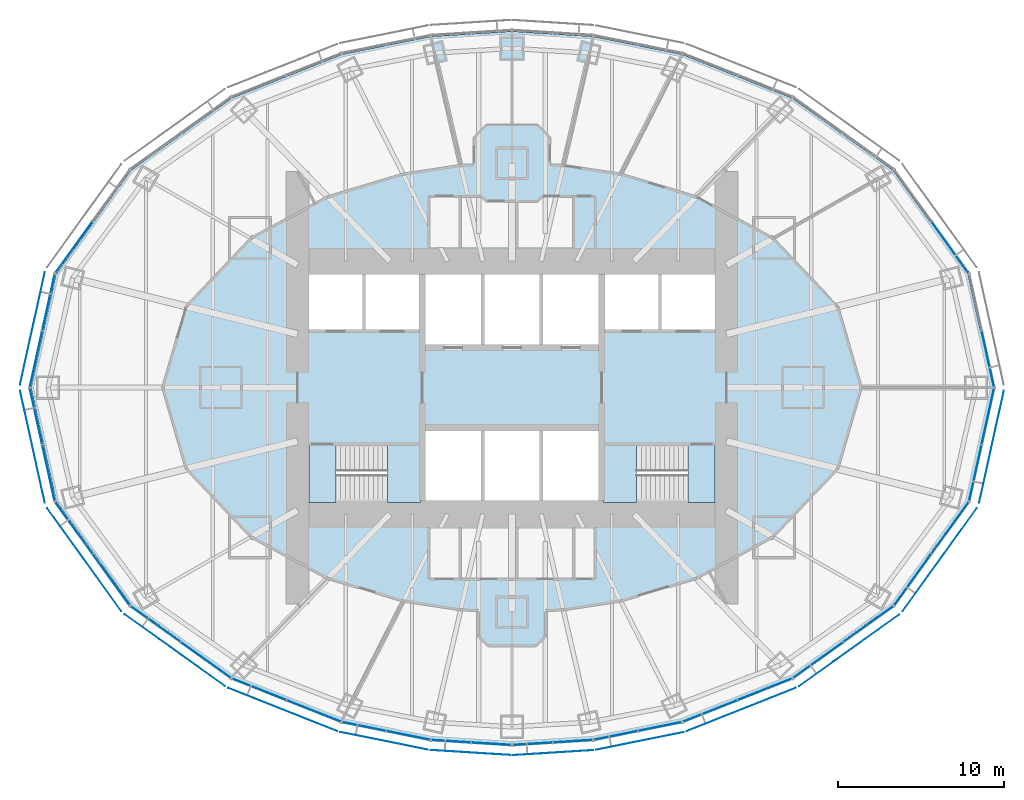
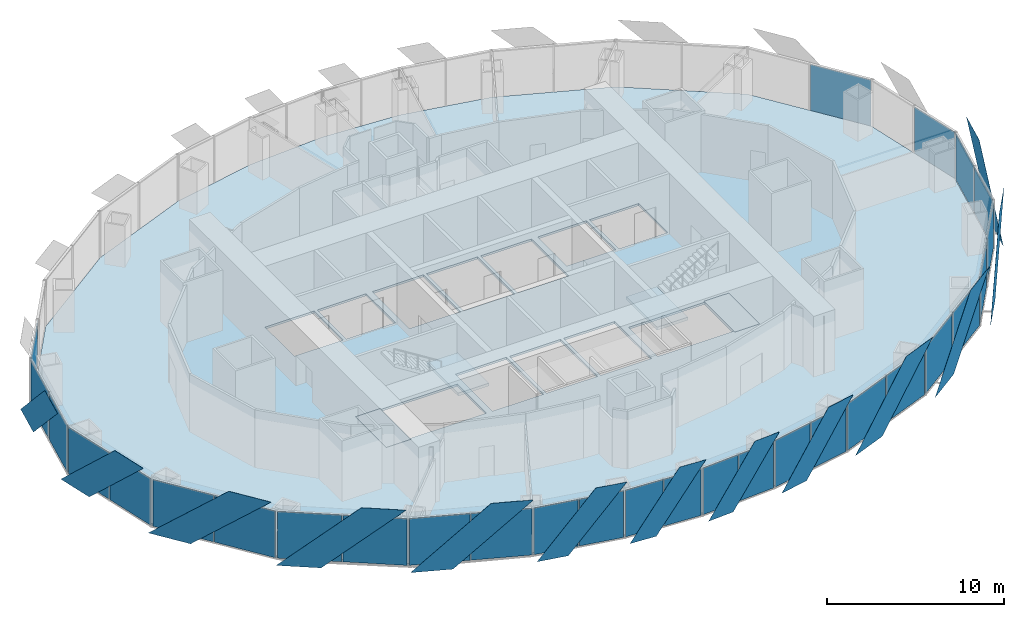
# One storey, part 9 of 18: 42 plates, 5 slabs, 18 elements without a shape of their own.
"""IFC4 building model written with IfcOpenShell, lengths in metres."""

from ifc_helpers import new_model, si_unit, direction, frame, origin, origin_2d, place, context, subcontext, project, spatial, polyline, rectangle, outline, extrude, material, layer, layer_set, type_object, element, aggregate, save


model = new_model("IFC4")

# Units and contexts
model_context = context("Model", 3, precision=1e-05, world=origin(), true_north=direction((0.0, 1.0)))
body_context = subcontext(model_context, "Body", "Model", "MODEL_VIEW")
ifc_project = project(units=[si_unit("LENGTHUNIT", "METRE"), si_unit("AREAUNIT", "SQUARE_METRE"), si_unit("VOLUMEUNIT", "CUBIC_METRE"), si_unit("PLANEANGLEUNIT", "RADIAN"), si_unit("MASSUNIT", "GRAM", prefix="KILO")], contexts=[model_context])

# Site, building, storey
site_placement = place(None, origin())
site = spatial("IfcSite", under=ifc_project, at=site_placement, CompositionType="ELEMENT")
building_placement = place(site_placement, origin())
building = spatial("IfcBuilding", under=site, at=building_placement, Name="Lantaw Convention Tower", CompositionType="ELEMENT")
storey_placement = place(building_placement, frame((0.0, 0.0, 188.800048828125)))
storey = spatial("IfcBuildingStorey", under=building, at=storey_placement, Name="L44", CompositionType="ELEMENT", Elevation=188.800048828125)

# Curtain wall, plate
ifc_material_1 = material(Name="Aluminium framed curtain wall", Category="aluminium")
curtain_wall_type = type_object("IfcCurtainWallType", Name="Office curtain wall low rise, pale aluminium", PredefinedType="USERDEFINED", material=ifc_material_1)
curtain_wall_1_placement = place(storey_placement, origin())
curtain_wall_1 = element("IfcCurtainWall", 1, at=curtain_wall_1_placement, inside=storey, type_object=curtain_wall_type, Name="Office curtain wall low rise, pale aluminium L44", ObjectType="UNITISED CURTAIN WALL", PredefinedType="USERDEFINED")
ifc_material_2 = material(Name="Clear insulating glass", Category="glass")
ifc_layer_1 = layer(ifc_material_2, 0.028076171875)
ifc_layer_set_1 = layer_set([ifc_layer_1], Name="CW-O1 panel 28")
plate_type_1 = type_object("IfcPlateType", Name="CW-O1 panel 28", PredefinedType="CURTAIN_PANEL", material=ifc_layer_set_1)
plate_1_placement = place(storey_placement, frame((28.618408203125, 1.729248046875, -0.0849609375), z_axis=(0.0, 0.0, 1.0), x_axis=(-0.215546166174, 0.9764936509, 0.0)))
plate_1 = element("IfcPlate", 2, at=plate_1_placement, type_object=plate_type_1, Name="CW-O1 panel 1.1", PredefinedType="CURTAIN_PANEL", context=body_context, shape_type="SweptSolid", body=[
    extrude(rectangle(XDim=3.41162109375, YDim=0.028076171875, at=origin_2d()), origin(), (0.0, 0.0, 1.0), 3.219970703125),
])
aggregate(curtain_wall_1, [plate_1])

curtain_wall_2_placement = place(storey_placement, origin())
curtain_wall_2 = element("IfcCurtainWall", 3, at=curtain_wall_2_placement, inside=storey, type_object=curtain_wall_type, Name="Office curtain wall low rise, pale aluminium L44", ObjectType="UNITISED CURTAIN WALL", PredefinedType="USERDEFINED")
plate_2_placement = place(storey_placement, frame((26.34814453125, 8.4345703125, -0.0849609375), z_axis=(0.0, 0.0, 1.0), x_axis=(-0.584512597221, 0.811384633629, 0.0)))
plate_2 = element("IfcPlate", 4, at=plate_2_placement, type_object=plate_type_1, Name="CW-O1 panel 1.1", PredefinedType="CURTAIN_PANEL", context=body_context, shape_type="SweptSolid", body=[
    extrude(rectangle(XDim=3.767333984375, YDim=0.028076171875, at=origin_2d()), origin(), (0.0, 0.0, 1.0), 3.219970703125),
])
aggregate(curtain_wall_2, [plate_2])

curtain_wall_3_placement = place(storey_placement, origin())
curtain_wall_3 = element("IfcCurtainWall", 5, at=curtain_wall_3_placement, inside=storey, type_object=curtain_wall_type, Name="Office curtain wall low rise, pale aluminium L44", ObjectType="UNITISED CURTAIN WALL", PredefinedType="USERDEFINED")
plate_3_placement = place(storey_placement, frame((-26.34814453125, 8.4345703125, -0.0849609375), z_axis=(0.0, 0.0, 1.0), x_axis=(-0.584512597221, -0.811384633629, 0.0)))
plate_3 = element("IfcPlate", 6, at=plate_3_placement, type_object=plate_type_1, Name="CW-O1 panel 2.1", PredefinedType="CURTAIN_PANEL", context=body_context, shape_type="SweptSolid", body=[
    extrude(rectangle(XDim=3.767333984375, YDim=0.028076171875, at=origin_2d()), origin(), (0.0, 0.0, 1.0), 3.219970703125),
])
aggregate(curtain_wall_3, [plate_3])

# Curtain wall, plates
curtain_wall_4_placement = place(storey_placement, origin())
curtain_wall_4 = element("IfcCurtainWall", 7, at=curtain_wall_4_placement, inside=storey, type_object=curtain_wall_type, Name="Office curtain wall low rise, pale aluminium L44", ObjectType="UNITISED CURTAIN WALL", PredefinedType="USERDEFINED")
plate_4_placement = place(storey_placement, frame((-27.868896484375, 5.1240234375, -0.0849609375), z_axis=(0.0, 0.0, 1.0), x_axis=(-0.215546166174, -0.9764936509, 0.0)))
plate_4 = element("IfcPlate", 8, at=plate_4_placement, type_object=plate_type_1, Name="CW-O1 panel 1.1", PredefinedType="CURTAIN_PANEL", context=body_context, shape_type="SweptSolid", body=[
    extrude(rectangle(XDim=3.41162109375, YDim=0.028076171875, at=origin_2d()), origin(), (0.0, 0.0, 1.0), 3.219970703125),
])
plate_5_placement = place(storey_placement, frame((-28.618408203125, 1.729248046875, -0.0849609375), z_axis=(0.0, 0.0, 1.0), x_axis=(-0.215546166174, -0.9764936509, 0.0)))
plate_5 = element("IfcPlate", 9, at=plate_5_placement, type_object=plate_type_1, Name="CW-O1 panel 2.1", PredefinedType="CURTAIN_PANEL", context=body_context, shape_type="SweptSolid", body=[
    extrude(rectangle(XDim=3.41162109375, YDim=0.028076171875, at=origin_2d()), origin(), (0.0, 0.0, 1.0), 3.219970703125),
])
aggregate(curtain_wall_4, [plate_4, plate_5])

curtain_wall_5_placement = place(storey_placement, origin())
curtain_wall_5 = element("IfcCurtainWall", 10, at=curtain_wall_5_placement, inside=storey, type_object=curtain_wall_type, Name="Office curtain wall low rise, pale aluminium L44", ObjectType="UNITISED CURTAIN WALL", PredefinedType="USERDEFINED")
plate_6_placement = place(storey_placement, frame((-28.618408203125, -1.729248046875, -0.0849609375), z_axis=(0.0, 0.0, 1.0), x_axis=(0.215546166174, -0.9764936509, 0.0)))
plate_6 = element("IfcPlate", 11, at=plate_6_placement, type_object=plate_type_1, Name="CW-O1 panel 1.1", PredefinedType="CURTAIN_PANEL", context=body_context, shape_type="SweptSolid", body=[
    extrude(rectangle(XDim=3.41162109375, YDim=0.028076171875, at=origin_2d()), origin(), (0.0, 0.0, 1.0), 3.219970703125),
])
plate_7_placement = place(storey_placement, frame((-27.868896484375, -5.1240234375, -0.0849609375), z_axis=(0.0, 0.0, 1.0), x_axis=(0.215546166174, -0.9764936509, 0.0)))
plate_7 = element("IfcPlate", 12, at=plate_7_placement, type_object=plate_type_1, Name="CW-O1 panel 2.1", PredefinedType="CURTAIN_PANEL", context=body_context, shape_type="SweptSolid", body=[
    extrude(rectangle(XDim=3.41162109375, YDim=0.028076171875, at=origin_2d()), origin(), (0.0, 0.0, 1.0), 3.219970703125),
])
aggregate(curtain_wall_5, [plate_6, plate_7])

curtain_wall_6_placement = place(storey_placement, origin())
curtain_wall_6 = element("IfcCurtainWall", 13, at=curtain_wall_6_placement, inside=storey, type_object=curtain_wall_type, Name="Office curtain wall low rise, pale aluminium L44", ObjectType="UNITISED CURTAIN WALL", PredefinedType="USERDEFINED")
plate_8_placement = place(storey_placement, frame((-26.34814453125, -8.4345703125, -0.0849609375), z_axis=(0.0, 0.0, 1.0), x_axis=(0.584512597221, -0.811384633629, 0.0)))
plate_8 = element("IfcPlate", 14, at=plate_8_placement, type_object=plate_type_1, Name="CW-O1 panel 1.1", PredefinedType="CURTAIN_PANEL", context=body_context, shape_type="SweptSolid", body=[
    extrude(rectangle(XDim=3.767333984375, YDim=0.028076171875, at=origin_2d()), origin(), (0.0, 0.0, 1.0), 3.219970703125),
])
plate_9_placement = place(storey_placement, frame((-24.108154296875, -11.5439453125, -0.0849609375), z_axis=(0.0, 0.0, 1.0), x_axis=(0.584512597221, -0.811384633629, 0.0)))
plate_9 = element("IfcPlate", 15, at=plate_9_placement, type_object=plate_type_1, Name="CW-O1 panel 2.1", PredefinedType="CURTAIN_PANEL", context=body_context, shape_type="SweptSolid", body=[
    extrude(rectangle(XDim=3.767333984375, YDim=0.028076171875, at=origin_2d()), origin(), (0.0, 0.0, 1.0), 3.219970703125),
])
aggregate(curtain_wall_6, [plate_8, plate_9])

curtain_wall_7_placement = place(storey_placement, origin())
curtain_wall_7 = element("IfcCurtainWall", 16, at=curtain_wall_7_placement, inside=storey, type_object=curtain_wall_type, Name="Office curtain wall low rise, pale aluminium L44", ObjectType="UNITISED CURTAIN WALL", PredefinedType="USERDEFINED")
plate_10_placement = place(storey_placement, frame((-21.43408203125, -14.2236328125, -0.0849609375), z_axis=(0.0, 0.0, 1.0), x_axis=(0.813208325995, -0.581972695693, 0.0)))
plate_10 = element("IfcPlate", 17, at=plate_10_placement, type_object=plate_type_1, Name="CW-O1 panel 1.1", PredefinedType="CURTAIN_PANEL", context=body_context, shape_type="SweptSolid", body=[
    extrude(rectangle(XDim=3.645263671875, YDim=0.028076171875, at=origin_2d()), origin(), (0.0, 0.0, 1.0), 3.219970703125),
])
plate_11_placement = place(storey_placement, frame((-18.416748046875, -16.383056640625, -0.0849609375), z_axis=(0.0, 0.0, 1.0), x_axis=(0.813208325995, -0.581972695693, 0.0)))
plate_11 = element("IfcPlate", 18, at=plate_11_placement, type_object=plate_type_1, Name="CW-O1 panel 2.1", PredefinedType="CURTAIN_PANEL", context=body_context, shape_type="SweptSolid", body=[
    extrude(rectangle(XDim=3.645263671875, YDim=0.028076171875, at=origin_2d()), origin(), (0.0, 0.0, 1.0), 3.219970703125),
])
aggregate(curtain_wall_7, [plate_10, plate_11])

curtain_wall_8_placement = place(storey_placement, origin())
curtain_wall_8 = element("IfcCurtainWall", 19, at=curtain_wall_8_placement, inside=storey, type_object=curtain_wall_type, Name="Office curtain wall low rise, pale aluminium L44", ObjectType="UNITISED CURTAIN WALL", PredefinedType="USERDEFINED")
plate_12_placement = place(storey_placement, frame((-15.208251953125, -18.145263671875, -0.0849609375), z_axis=(0.0, 0.0, 1.0), x_axis=(0.929547687544, -0.368701907483, 0.0)))
plate_12 = element("IfcPlate", 20, at=plate_12_placement, type_object=plate_type_1, Name="CW-O1 panel 1.1", PredefinedType="CURTAIN_PANEL", context=body_context, shape_type="SweptSolid", body=[
    extrude(rectangle(XDim=3.470703125, YDim=0.028076171875, at=origin_2d()), origin(), (0.0, 0.0, 1.0), 3.219970703125),
])
plate_13_placement = place(storey_placement, frame((-11.921630859375, -19.448974609375, -0.0849609375), z_axis=(0.0, 0.0, 1.0), x_axis=(0.929547687544, -0.368701907483, 0.0)))
plate_13 = element("IfcPlate", 21, at=plate_13_placement, type_object=plate_type_1, Name="CW-O1 panel 2.1", PredefinedType="CURTAIN_PANEL", context=body_context, shape_type="SweptSolid", body=[
    extrude(rectangle(XDim=3.470703125, YDim=0.028076171875, at=origin_2d()), origin(), (0.0, 0.0, 1.0), 3.219970703125),
])
aggregate(curtain_wall_8, [plate_12, plate_13])

curtain_wall_9_placement = place(storey_placement, origin())
curtain_wall_9 = element("IfcCurtainWall", 22, at=curtain_wall_9_placement, inside=storey, type_object=curtain_wall_type, Name="Office curtain wall low rise, pale aluminium L44", ObjectType="UNITISED CURTAIN WALL", PredefinedType="USERDEFINED")
plate_14_placement = place(storey_placement, frame((-8.893310546875, -20.3857421875, -0.0849609375), z_axis=(0.0, 0.0, 1.0), x_axis=(0.980301514912, -0.197506809659, 0.0)))
plate_14 = element("IfcPlate", 23, at=plate_14_placement, type_object=plate_type_1, Name="CW-O1 panel 1.1", PredefinedType="CURTAIN_PANEL", context=body_context, shape_type="SweptSolid", body=[
    extrude(rectangle(XDim=2.634033203125, YDim=0.028076171875, at=origin_2d()), origin(), (0.0, 0.0, 1.0), 3.219970703125),
])
plate_15_placement = place(storey_placement, frame((-6.247314453125, -20.9189453125, -0.0849609375), z_axis=(0.0, 0.0, 1.0), x_axis=(0.980301514912, -0.197506809659, 0.0)))
plate_15 = element("IfcPlate", 24, at=plate_15_placement, type_object=plate_type_1, Name="CW-O1 panel 2.1", PredefinedType="CURTAIN_PANEL", context=body_context, shape_type="SweptSolid", body=[
    extrude(rectangle(XDim=2.634033203125, YDim=0.028076171875, at=origin_2d()), origin(), (0.0, 0.0, 1.0), 3.219970703125),
])
aggregate(curtain_wall_9, [plate_14, plate_15])

curtain_wall_10_placement = place(storey_placement, origin())
curtain_wall_10 = element("IfcCurtainWall", 25, at=curtain_wall_10_placement, inside=storey, type_object=curtain_wall_type, Name="Office curtain wall low rise, pale aluminium L44", ObjectType="UNITISED CURTAIN WALL", PredefinedType="USERDEFINED")
plate_16_placement = place(storey_placement, frame((-3.653076171875, -21.269775390625, -0.0849609375), z_axis=(0.0, 0.0, 1.0), x_axis=(0.998022035978, -0.062865059466, 0.0)))
plate_16 = element("IfcPlate", 26, at=plate_16_placement, type_object=plate_type_1, Name="CW-O1 panel 1.1", PredefinedType="CURTAIN_PANEL", context=body_context, shape_type="SweptSolid", body=[
    extrude(rectangle(XDim=2.353515625, YDim=0.028076171875, at=origin_2d()), origin(), (0.0, 0.0, 1.0), 3.219970703125),
])
plate_17_placement = place(storey_placement, frame((-1.2392578125, -21.421875, -0.0849609375), z_axis=(0.0, 0.0, 1.0), x_axis=(0.998022035978, -0.062865059466, 0.0)))
plate_17 = element("IfcPlate", 27, at=plate_17_placement, type_object=plate_type_1, Name="CW-O1 panel 2.1", PredefinedType="CURTAIN_PANEL", context=body_context, shape_type="SweptSolid", body=[
    extrude(rectangle(XDim=2.353515625, YDim=0.028076171875, at=origin_2d()), origin(), (0.0, 0.0, 1.0), 3.219970703125),
])
aggregate(curtain_wall_10, [plate_16, plate_17])

curtain_wall_11_placement = place(storey_placement, origin())
curtain_wall_11 = element("IfcCurtainWall", 28, at=curtain_wall_11_placement, inside=storey, type_object=curtain_wall_type, Name="Office curtain wall low rise, pale aluminium L44", ObjectType="UNITISED CURTAIN WALL", PredefinedType="USERDEFINED")
plate_18_placement = place(storey_placement, frame((1.2392578125, -21.421875, -0.0849609375), z_axis=(0.0, 0.0, 1.0), x_axis=(0.998022035978, 0.062865059466, 0.0)))
plate_18 = element("IfcPlate", 29, at=plate_18_placement, type_object=plate_type_1, Name="CW-O1 panel 1.1", PredefinedType="CURTAIN_PANEL", context=body_context, shape_type="SweptSolid", body=[
    extrude(rectangle(XDim=2.353515625, YDim=0.028076171875, at=origin_2d()), origin(), (0.0, 0.0, 1.0), 3.219970703125),
])
plate_19_placement = place(storey_placement, frame((3.653076171875, -21.269775390625, -0.0849609375), z_axis=(0.0, 0.0, 1.0), x_axis=(0.998022035978, 0.062865059466, 0.0)))
plate_19 = element("IfcPlate", 30, at=plate_19_placement, type_object=plate_type_1, Name="CW-O1 panel 2.1", PredefinedType="CURTAIN_PANEL", context=body_context, shape_type="SweptSolid", body=[
    extrude(rectangle(XDim=2.353515625, YDim=0.028076171875, at=origin_2d()), origin(), (0.0, 0.0, 1.0), 3.219970703125),
])
aggregate(curtain_wall_11, [plate_18, plate_19])

curtain_wall_12_placement = place(storey_placement, origin())
curtain_wall_12 = element("IfcCurtainWall", 31, at=curtain_wall_12_placement, inside=storey, type_object=curtain_wall_type, Name="Office curtain wall low rise, pale aluminium L44", ObjectType="UNITISED CURTAIN WALL", PredefinedType="USERDEFINED")
plate_20_placement = place(storey_placement, frame((6.247314453125, -20.9189453125, -0.0849609375), z_axis=(0.0, 0.0, 1.0), x_axis=(0.980301514912, 0.197506809659, 0.0)))
plate_20 = element("IfcPlate", 32, at=plate_20_placement, type_object=plate_type_1, Name="CW-O1 panel 1.1", PredefinedType="CURTAIN_PANEL", context=body_context, shape_type="SweptSolid", body=[
    extrude(rectangle(XDim=2.634033203125, YDim=0.028076171875, at=origin_2d()), origin(), (0.0, 0.0, 1.0), 3.219970703125),
])
plate_21_placement = place(storey_placement, frame((8.893310546875, -20.3857421875, -0.0849609375), z_axis=(0.0, 0.0, 1.0), x_axis=(0.980301514912, 0.197506809659, 0.0)))
plate_21 = element("IfcPlate", 33, at=plate_21_placement, type_object=plate_type_1, Name="CW-O1 panel 2.1", PredefinedType="CURTAIN_PANEL", context=body_context, shape_type="SweptSolid", body=[
    extrude(rectangle(XDim=2.634033203125, YDim=0.028076171875, at=origin_2d()), origin(), (0.0, 0.0, 1.0), 3.219970703125),
])
aggregate(curtain_wall_12, [plate_20, plate_21])

curtain_wall_13_placement = place(storey_placement, origin())
curtain_wall_13 = element("IfcCurtainWall", 34, at=curtain_wall_13_placement, inside=storey, type_object=curtain_wall_type, Name="Office curtain wall low rise, pale aluminium L44", ObjectType="UNITISED CURTAIN WALL", PredefinedType="USERDEFINED")
plate_22_placement = place(storey_placement, frame((11.921630859375, -19.448974609375, -0.0849609375), z_axis=(0.0, 0.0, 1.0), x_axis=(0.929547687544, 0.368701907483, 0.0)))
plate_22 = element("IfcPlate", 35, at=plate_22_placement, type_object=plate_type_1, Name="CW-O1 panel 1.1", PredefinedType="CURTAIN_PANEL", context=body_context, shape_type="SweptSolid", body=[
    extrude(rectangle(XDim=3.470703125, YDim=0.028076171875, at=origin_2d()), origin(), (0.0, 0.0, 1.0), 3.219970703125),
])
plate_23_placement = place(storey_placement, frame((15.208251953125, -18.145263671875, -0.0849609375), z_axis=(0.0, 0.0, 1.0), x_axis=(0.929547687544, 0.368701907483, 0.0)))
plate_23 = element("IfcPlate", 36, at=plate_23_placement, type_object=plate_type_1, Name="CW-O1 panel 2.1", PredefinedType="CURTAIN_PANEL", context=body_context, shape_type="SweptSolid", body=[
    extrude(rectangle(XDim=3.470703125, YDim=0.028076171875, at=origin_2d()), origin(), (0.0, 0.0, 1.0), 3.219970703125),
])
aggregate(curtain_wall_13, [plate_22, plate_23])

curtain_wall_14_placement = place(storey_placement, origin())
curtain_wall_14 = element("IfcCurtainWall", 37, at=curtain_wall_14_placement, inside=storey, type_object=curtain_wall_type, Name="Office curtain wall low rise, pale aluminium L44", ObjectType="UNITISED CURTAIN WALL", PredefinedType="USERDEFINED")
plate_24_placement = place(storey_placement, frame((18.416748046875, -16.383056640625, -0.0849609375), z_axis=(0.0, 0.0, 1.0), x_axis=(0.813208325995, 0.581972695693, 0.0)))
plate_24 = element("IfcPlate", 38, at=plate_24_placement, type_object=plate_type_1, Name="CW-O1 panel 1.1", PredefinedType="CURTAIN_PANEL", context=body_context, shape_type="SweptSolid", body=[
    extrude(rectangle(XDim=3.645263671875, YDim=0.028076171875, at=origin_2d()), origin(), (0.0, 0.0, 1.0), 3.219970703125),
])
plate_25_placement = place(storey_placement, frame((21.43408203125, -14.2236328125, -0.0849609375), z_axis=(0.0, 0.0, 1.0), x_axis=(0.813208325995, 0.581972695693, 0.0)))
plate_25 = element("IfcPlate", 39, at=plate_25_placement, type_object=plate_type_1, Name="CW-O1 panel 2.1", PredefinedType="CURTAIN_PANEL", context=body_context, shape_type="SweptSolid", body=[
    extrude(rectangle(XDim=3.645263671875, YDim=0.028076171875, at=origin_2d()), origin(), (0.0, 0.0, 1.0), 3.219970703125),
])
aggregate(curtain_wall_14, [plate_24, plate_25])

curtain_wall_15_placement = place(storey_placement, origin())
curtain_wall_15 = element("IfcCurtainWall", 40, at=curtain_wall_15_placement, inside=storey, type_object=curtain_wall_type, Name="Office curtain wall low rise, pale aluminium L44", ObjectType="UNITISED CURTAIN WALL", PredefinedType="USERDEFINED")
plate_26_placement = place(storey_placement, frame((24.108154296875, -11.5439453125, -0.0849609375), z_axis=(0.0, 0.0, 1.0), x_axis=(0.584512597221, 0.811384633629, 0.0)))
plate_26 = element("IfcPlate", 41, at=plate_26_placement, type_object=plate_type_1, Name="CW-O1 panel 1.1", PredefinedType="CURTAIN_PANEL", context=body_context, shape_type="SweptSolid", body=[
    extrude(rectangle(XDim=3.767333984375, YDim=0.028076171875, at=origin_2d()), origin(), (0.0, 0.0, 1.0), 3.219970703125),
])
plate_27_placement = place(storey_placement, frame((26.34814453125, -8.4345703125, -0.0849609375), z_axis=(0.0, 0.0, 1.0), x_axis=(0.584512597221, 0.811384633629, 0.0)))
plate_27 = element("IfcPlate", 42, at=plate_27_placement, type_object=plate_type_1, Name="CW-O1 panel 2.1", PredefinedType="CURTAIN_PANEL", context=body_context, shape_type="SweptSolid", body=[
    extrude(rectangle(XDim=3.767333984375, YDim=0.028076171875, at=origin_2d()), origin(), (0.0, 0.0, 1.0), 3.219970703125),
])
aggregate(curtain_wall_15, [plate_26, plate_27])

curtain_wall_16_placement = place(storey_placement, origin())
curtain_wall_16 = element("IfcCurtainWall", 43, at=curtain_wall_16_placement, inside=storey, type_object=curtain_wall_type, Name="Office curtain wall low rise, pale aluminium L44", ObjectType="UNITISED CURTAIN WALL", PredefinedType="USERDEFINED")
plate_28_placement = place(storey_placement, frame((27.868896484375, -5.1240234375, -0.0849609375), z_axis=(0.0, 0.0, 1.0), x_axis=(0.215546166174, 0.9764936509, 0.0)))
plate_28 = element("IfcPlate", 44, at=plate_28_placement, type_object=plate_type_1, Name="CW-O1 panel 1.1", PredefinedType="CURTAIN_PANEL", context=body_context, shape_type="SweptSolid", body=[
    extrude(rectangle(XDim=3.41162109375, YDim=0.028076171875, at=origin_2d()), origin(), (0.0, 0.0, 1.0), 3.219970703125),
])
plate_29_placement = place(storey_placement, frame((28.618408203125, -1.729248046875, -0.0849609375), z_axis=(0.0, 0.0, 1.0), x_axis=(0.215546166174, 0.9764936509, 0.0)))
plate_29 = element("IfcPlate", 45, at=plate_29_placement, type_object=plate_type_1, Name="CW-O1 panel 2.1", PredefinedType="CURTAIN_PANEL", context=body_context, shape_type="SweptSolid", body=[
    extrude(rectangle(XDim=3.41162109375, YDim=0.028076171875, at=origin_2d()), origin(), (0.0, 0.0, 1.0), 3.219970703125),
])
aggregate(curtain_wall_16, [plate_28, plate_29])

# Slab
ifc_material_3 = material(Name="Concrete C35/45", Category="concrete")
ifc_layer_2 = layer(ifc_material_3, 0.14990234375)
ifc_layer_set_2 = layer_set([ifc_layer_2], Name="Floor slab 150")
slab_type_1 = type_object("IfcSlabType", Name="Floor slab 150", PredefinedType="FLOOR", material=ifc_layer_set_2)
slab_1_placement = place(storey_placement, frame((0.0, 0.0, -0.150146484375)))
element("IfcSlab", 46, at=slab_1_placement, inside=storey, type_object=slab_type_1, Name="L44 floor slab", PredefinedType="FLOOR", context=body_context, shape_type="SweptSolid", body=[
    extrude(outline(polyline([(27.417236328125, -6.822021484375), (28.923095703125, 0.0), (27.417236328125, 6.822021484375), (22.915283203125, 13.0712890625), (16.845458984375, 17.415283203125), (10.2265625, 20.04052734375), (4.8828125, 21.1171875), (0.0, 21.4248046875), (-4.8828125, 21.1171875), (-10.2265625, 20.04052734375), (-16.845458984375, 17.415283203125), (-22.915283203125, 13.0712890625), (-27.417236328125, 6.822021484375), (-28.923095703125, 0.0), (-27.417236328125, -6.822021484375), (-22.915283203125, -13.0712890625), (-16.845458984375, -17.415283203125), (-10.2265625, -20.04052734375), (-4.8828125, -21.1171875), (0.0, -21.4248046875), (4.8828125, -21.1171875), (10.2265625, -20.04052734375), (16.845458984375, -17.415283203125), (22.915283203125, -13.0712890625), (27.417236328125, -6.822021484375)]), holes=[polyline([(-5.60009765625, -3.5), (-12.199951171875, -3.5), (-12.199951171875, -6.800048828125), (-5.60009765625, -6.800048828125), (-5.60009765625, -3.5)]), polyline([(-1.86669921875, -6.800048828125), (-1.86669921875, -2.60009765625), (-5.199951171875, -2.60009765625), (-5.199951171875, -6.800048828125), (-1.86669921875, -6.800048828125)]), polyline([(-1.86669921875, 2.60009765625), (-1.86669921875, 6.800048828125), (-5.199951171875, 6.800048828125), (-5.199951171875, 2.60009765625), (-1.86669921875, 2.60009765625)]), polyline([(1.666748046875, 6.800048828125), (-1.666748046875, 6.800048828125), (-1.666748046875, 2.60009765625), (1.666748046875, 2.60009765625), (1.666748046875, 6.800048828125)]), polyline([(-9.0, 3.5), (-9.0, 6.800048828125), (-12.199951171875, 6.800048828125), (-12.199951171875, 3.5), (-9.0, 3.5)]), polyline([(-5.60009765625, 3.5), (-5.60009765625, 6.800048828125), (-8.800048828125, 6.800048828125), (-8.800048828125, 3.5), (-5.60009765625, 3.5)]), polyline([(12.199951171875, -3.5), (5.60009765625, -3.5), (5.60009765625, -6.800048828125), (12.199951171875, -6.800048828125), (12.199951171875, -3.5)]), polyline([(1.666748046875, -6.800048828125), (1.666748046875, -2.60009765625), (-1.666748046875, -2.60009765625), (-1.666748046875, -6.800048828125), (1.666748046875, -6.800048828125)]), polyline([(5.199951171875, -6.800048828125), (5.199951171875, -2.60009765625), (1.86669921875, -2.60009765625), (1.86669921875, -6.800048828125), (5.199951171875, -6.800048828125)]), polyline([(5.199951171875, 6.800048828125), (1.86669921875, 6.800048828125), (1.86669921875, 2.60009765625), (5.199951171875, 2.60009765625), (5.199951171875, 6.800048828125)]), polyline([(8.800048828125, 3.5), (8.800048828125, 6.800048828125), (5.60009765625, 6.800048828125), (5.60009765625, 3.5), (8.800048828125, 3.5)]), polyline([(12.199951171875, 3.5), (12.199951171875, 6.800048828125), (9.0, 6.800048828125), (9.0, 3.5), (12.199951171875, 3.5)])]), origin(), (0.0, 0.0, 1.0), 0.150146484375),
])

# Plates
ifc_material_4 = material(Name="Perforated aluminium sheet, pale silver finish", Category="aluminium")
ifc_layer_3 = layer(ifc_material_4, 0.006103515625)
ifc_layer_set_3 = layer_set([ifc_layer_3], Name="Perforated aluminium solar SCREEN panel")
plate_type_2 = type_object("IfcPlateType", Name="Perforated aluminium solar SCREEN panel", PredefinedType="SHEET", material=ifc_layer_set_3)
plate_30_placement = place(storey_placement, frame((-28.08984375, 6.93505859375, -0.175048828125), z_axis=(0.976497812457, -0.215527309508, 3.3521393e-05), x_axis=(-0.215527309629, -0.976497813005, -1.675e-09)))
element("IfcPlate", 47, at=plate_30_placement, inside=storey, type_object=plate_type_2, Name="Solar SCREEN panel", PredefinedType="SHEET", context=body_context, shape_type="SweptSolid", body=[
    extrude(outline(polyline([(0.0, 0.0), (2.386131748388921, -3.3881317890172014e-21), (6.918240176095255, -4.314941420259544), (4.532055808734256, -4.314941412267862), (0.0, 0.0)])), origin(), (0.0, 0.0, -1.0), 0.006103515625),
])
plate_31_placement = place(storey_placement, frame((-29.5810546875, -0.179443359375, -0.175048828125), z_axis=(-0.976497812457, -0.215527309508, 3.3521393e-05), x_axis=(0.215527309629, -0.976497813005, 1.675e-09)))
element("IfcPlate", 48, at=plate_31_placement, inside=storey, type_object=plate_type_2, Name="Solar SCREEN panel", PredefinedType="SHEET", context=body_context, shape_type="SweptSolid", body=[
    extrude(outline(polyline([(0.0, 0.0), (2.386184367360998, 0.0), (6.918240190546628, 4.314941397089342), (4.532108442157707, 4.314941405080847), (0.0, 0.0)])), origin(), (0.0, 0.0, -1.0), 0.006103515625),
])
plate_32_placement = place(storey_placement, frame((-27.94970703125, -7.248046875, -0.175048828125), z_axis=(-0.811395121584, -0.584498037095, 3.6095924e-05), x_axis=(0.584498037475, -0.811395122112, -9.8e-10)))
element("IfcPlate", 49, at=plate_32_placement, inside=storey, type_object=plate_type_2, Name="Solar SCREEN panel", PredefinedType="SHEET", context=body_context, shape_type="SweptSolid", body=[
    extrude(outline(polyline([(0.0, 0.0), (2.628222178575422, 0.0), (7.629778257969265, 4.3149414165375495), (5.001754173906077, 4.314941411386866), (0.0, 0.0)])), origin(), (0.0, 0.0, -1.0), 0.006103515625),
])
plate_33_placement = place(storey_placement, frame((-23.281005859375, -13.64697265625, -0.175048828125), z_axis=(-0.582000183936, -0.813188653243, 1.1604381e-05), x_axis=(0.813188653298, -0.582000183975, 0.0)))
element("IfcPlate", 50, at=plate_33_placement, inside=storey, type_object=plate_type_2, Name="Solar SCREEN panel", PredefinedType="SHEET", context=body_context, shape_type="SweptSolid", body=[
    extrude(outline(polyline([(0.0, 0.0), (2.5450183911586484, 0.0), (7.385531276904658, 4.3149414065405285), (4.840512885746009, 4.3149414065405285), (0.0, 0.0)])), origin(), (0.0, 0.0, -1.0), 0.006103515625),
])
plate_34_placement = place(storey_placement, frame((-17.05859375, -18.063232421875, -0.175048828125), z_axis=(0.368708915367, 0.929544907796, 1.0930381e-05), x_axis=(0.929544907851, -0.368708915389, 7.14e-10)))
element("IfcPlate", 51, at=plate_34_placement, inside=storey, type_object=plate_type_2, Name="Solar SCREEN panel", PredefinedType="SHEET", context=body_context, shape_type="SweptSolid", body=[
    extrude(outline(polyline([(0.0, 0.0), (2.4263803793049097, 0.0), (7.036549629566982, -4.314941401484266), (4.61003232741235, -4.3149414049488195), (0.0, 0.0)])), origin(), (0.0, 0.0, -1.0), 0.006103515625),
])
plate_35_placement = place(storey_placement, frame((-10.318603515625, -20.716796875, -0.175048828125), z_axis=(-0.19755672544, -0.980291455974, 3.9713599e-05), x_axis=(0.980291456747, -0.197556725596, 0.0)))
element("IfcPlate", 52, at=plate_35_placement, inside=storey, type_object=plate_type_2, Name="Solar SCREEN panel", PredefinedType="SHEET", context=body_context, shape_type="SweptSolid", body=[
    extrude(outline(polyline([(0.0, 0.0), (1.8574075788555457, 3.3881317890172014e-21), (5.362987026845185, 4.314941409652699), (3.505579447989639, 4.314941409652699), (0.0, 0.0)])), origin(), (0.0, 0.0, -1.0), 0.006103515625),
])
plate_36_placement = place(storey_placement, frame((-4.880615234375, -21.7998046875, -0.175048828125), z_axis=(-0.062838799866, -0.998023689713, 1.765287e-06), x_axis=(0.998023689715, -0.062838799866, -8e-12)))
element("IfcPlate", 53, at=plate_36_placement, inside=storey, type_object=plate_type_2, Name="Solar SCREEN panel", PredefinedType="SHEET", context=body_context, shape_type="SweptSolid", body=[
    extrude(outline(polyline([(0.0, 0.0), (1.6666243269452135, 2.6469779601696886e-23), (4.802214797186689, 4.314941406295741), (3.135346812114104, 4.314941406268657), (0.0, 0.0)])), origin(), (0.0, 0.0, -1.0), 0.006103515625),
])
plate_37_placement = place(storey_placement, frame((0.087890625, -22.1015625, -0.175048828125), z_axis=(-0.062838799866, 0.998023689713, 1.765287e-06), x_axis=(0.998023689715, 0.062838799866, 8e-12)))
element("IfcPlate", 54, at=plate_37_placement, inside=storey, type_object=plate_type_2, Name="Solar SCREEN panel", PredefinedType="SHEET", context=body_context, shape_type="SweptSolid", body=[
    extrude(outline(polyline([(0.0, 0.0), (1.6668679850725854, -5.293955920339377e-23), (4.802214797256801, -4.314941406217712), (3.1355904703115876, -4.314941406244793), (0.0, 0.0)])), origin(), (0.0, 0.0, -1.0), 0.006103515625),
])
plate_38_placement = place(storey_placement, frame((5.061279296875, -21.776123046875, -0.175048828125), z_axis=(-0.19755672544, 0.980291455974, 3.9713599e-05), x_axis=(0.980291456747, 0.197556725596, 0.0)))
element("IfcPlate", 55, at=plate_38_placement, inside=storey, type_object=plate_type_2, Name="Solar SCREEN panel", PredefinedType="SHEET", context=body_context, shape_type="SweptSolid", body=[
    extrude(outline(polyline([(0.0, 0.0), (1.8574075788555457, -3.3881317890172014e-21), (5.362987026845185, -4.314941409652699), (3.505579447989639, -4.314941409652699), (0.0, 0.0)])), origin(), (0.0, 0.0, -1.0), 0.006103515625),
])
plate_39_placement = place(storey_placement, frame((10.517822265625, -20.65771484375, -0.175048828125), z_axis=(0.368708915367, -0.929544907796, 1.0930381e-05), x_axis=(0.929544907851, 0.368708915389, -7.14e-10)))
element("IfcPlate", 56, at=plate_39_placement, inside=storey, type_object=plate_type_2, Name="Solar SCREEN panel", PredefinedType="SHEET", context=body_context, shape_type="SweptSolid", body=[
    extrude(outline(polyline([(0.0, 0.0), (2.4265173021546316, 0.0), (7.036549623406159, 4.314941411530969), (4.610169244101249, 4.314941408066613), (0.0, 0.0)])), origin(), (0.0, 0.0, -1.0), 0.006103515625),
])
plate_40_placement = place(storey_placement, frame((17.275146484375, -17.9453125, -0.175048828125), z_axis=(-0.582000183936, 0.813188653243, 1.1604381e-05), x_axis=(0.813188653298, 0.582000183975, 0.0)))
element("IfcPlate", 57, at=plate_40_placement, inside=storey, type_object=plate_type_2, Name="Solar SCREEN panel", PredefinedType="SHEET", context=body_context, shape_type="SweptSolid", body=[
    extrude(outline(polyline([(0.0, 0.0), (2.5450183911586484, 0.0), (7.385531276904658, -4.3149414065405285), (4.840512885746009, -4.3149414065405285), (0.0, 0.0)])), origin(), (0.0, 0.0, -1.0), 0.006103515625),
])
plate_41_placement = place(storey_placement, frame((23.489990234375, -13.438720703125, -0.175048828125), z_axis=(-0.811395121584, 0.584498037095, 3.6095924e-05), x_axis=(0.584498037475, 0.811395122112, 9.8e-10)))
element("IfcPlate", 58, at=plate_41_placement, inside=storey, type_object=plate_type_2, Name="Solar SCREEN panel", PredefinedType="SHEET", context=body_context, shape_type="SweptSolid", body=[
    extrude(outline(polyline([(0.0, 0.0), (2.6280240840631874, 0.0), (7.62977826642615, -4.314941401583891), (5.001556087850728, -4.314941406734963), (0.0, 0.0)])), origin(), (0.0, 0.0, -1.0), 0.006103515625),
])
plate_42_placement = place(storey_placement, frame((28.08984375, -6.93505859375, -0.175048828125), z_axis=(-0.976497812457, 0.215527309508, 3.3521393e-05), x_axis=(0.215527309629, 0.976497813005, -1.675e-09)))
element("IfcPlate", 59, at=plate_42_placement, inside=storey, type_object=plate_type_2, Name="Solar SCREEN panel", PredefinedType="SHEET", context=body_context, shape_type="SweptSolid", body=[
    extrude(outline(polyline([(0.0, 0.0), (2.386131748388921, -3.3881317890172014e-21), (6.918240176095255, -4.314941420259544), (4.532055808734256, -4.314941412267862), (0.0, 0.0)])), origin(), (0.0, 0.0, -1.0), 0.006103515625),
])

# Stair, slabs
stair_type = type_object("IfcStairType", Name="Exit stair 1500 riser 175 in 2 flights", PredefinedType="HALF_TURN_STAIR", material=ifc_material_3)
stair_1_placement = place(storey_placement, origin())
stair_1 = element("IfcStair", 60, at=stair_1_placement, inside=storey, type_object=stair_type, Name="Exit stair S1 L44", PredefinedType="HALF_TURN_STAIR")
ifc_layer_4 = layer(ifc_material_3, 0.199951171875)
ifc_layer_set_4 = layer_set([ifc_layer_4], Name="Stair landing 200")
slab_type_2 = type_object("IfcSlabType", Name="Stair landing 200", PredefinedType="LANDING", material=ifc_layer_set_4)
slab_2_placement = place(storey_placement, frame((0.0, 0.0, -0.199951171875)))
slab_2 = element("IfcSlab", 61, at=slab_2_placement, type_object=slab_type_2, Name="S1 landing 1", PredefinedType="LANDING", context=body_context, shape_type="SweptSolid", body=[
    extrude(outline(polyline([(-12.199951171875, -6.89990234375), (-10.580078125, -6.89990234375), (-10.580078125, -3.39990234375), (-12.199951171875, -3.39990234375), (-12.199951171875, -6.89990234375)])), origin(), (0.0, 0.0, 1.0), 0.199951171875),
])
slab_3_placement = place(storey_placement, frame((0.0, 0.0, 1.89990234375)))
slab_3 = element("IfcSlab", 62, at=slab_3_placement, type_object=slab_type_2, Name="S1 landing 2", PredefinedType="LANDING", context=body_context, shape_type="SweptSolid", body=[
    extrude(outline(polyline([(-7.5, -6.89990234375), (-5.5, -6.89990234375), (-5.5, -3.39990234375), (-7.5, -3.39990234375), (-7.5, -6.89990234375)])), origin(), (0.0, 0.0, 1.0), 0.199951171875),
])
aggregate(stair_1, [slab_2, slab_3])

stair_2_placement = place(storey_placement, origin())
stair_2 = element("IfcStair", 63, at=stair_2_placement, inside=storey, type_object=stair_type, Name="Exit stair S2 L44", PredefinedType="HALF_TURN_STAIR")
slab_4_placement = place(storey_placement, frame((0.0, 0.0, -0.199951171875)))
slab_4 = element("IfcSlab", 64, at=slab_4_placement, type_object=slab_type_2, Name="S2 landing 1", PredefinedType="LANDING", context=body_context, shape_type="SweptSolid", body=[
    extrude(outline(polyline([(10.580078125, -6.89990234375), (12.199951171875, -6.89990234375), (12.199951171875, -3.39990234375), (10.580078125, -3.39990234375), (10.580078125, -6.89990234375)])), origin(), (0.0, 0.0, 1.0), 0.199951171875),
])
slab_5_placement = place(storey_placement, frame((0.0, 0.0, 1.89990234375)))
slab_5 = element("IfcSlab", 65, at=slab_5_placement, type_object=slab_type_2, Name="S2 landing 2", PredefinedType="LANDING", context=body_context, shape_type="SweptSolid", body=[
    extrude(outline(polyline([(5.5, -6.89990234375), (7.5, -6.89990234375), (7.5, -3.39990234375), (5.5, -3.39990234375), (5.5, -6.89990234375)])), origin(), (0.0, 0.0, 1.0), 0.199951171875),
])
aggregate(stair_2, [slab_4, slab_5])

save(model, "model.ifc")
